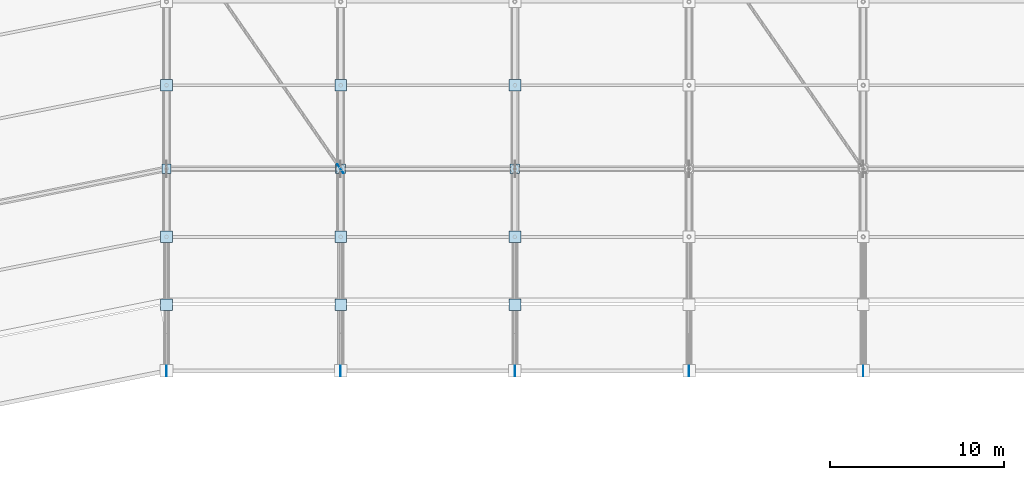
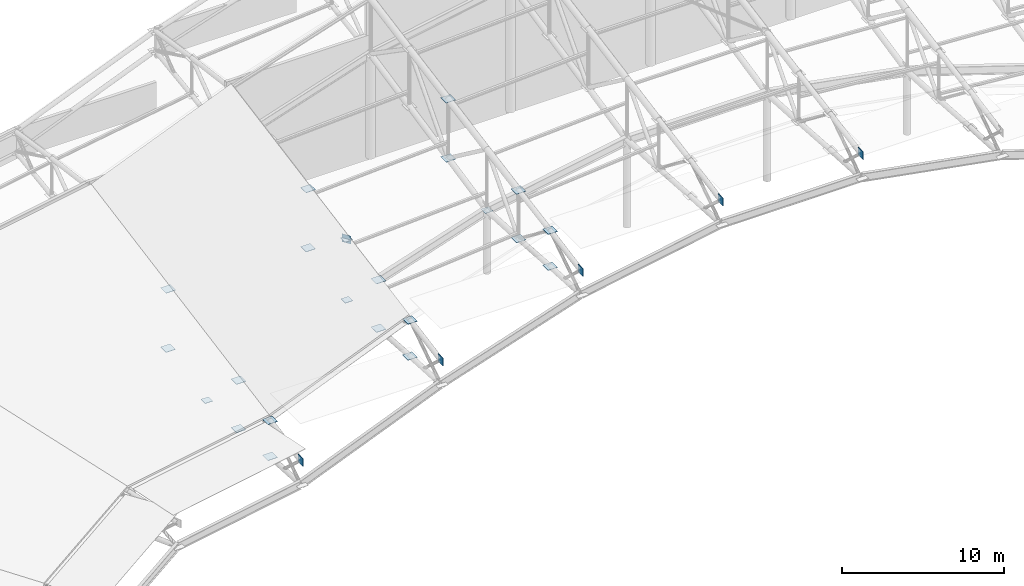
# One storey, part 133 of 146: 28 plates.
"""IFC4 building model written with IfcOpenShell, lengths in metres."""

from ifc_helpers import new_model, si_unit, direction, frame, origin, origin_2d, place, context, subcontext, project, spatial, rectangle, extrude, material, layer, layer_set, type_object, element, save


model = new_model("IFC4")

# Units and contexts
model_context = context("Model", 3, precision=1e-05, world=origin(), true_north=direction((0.0, 1.0)))
body_context = subcontext(model_context, "Body", "Model", "MODEL_VIEW")
ifc_project = project(units=[si_unit("LENGTHUNIT", "METRE"), si_unit("AREAUNIT", "SQUARE_METRE"), si_unit("VOLUMEUNIT", "CUBIC_METRE"), si_unit("PLANEANGLEUNIT", "RADIAN"), si_unit("MASSUNIT", "GRAM", prefix="KILO")], contexts=[model_context])

# Site, building, storey
site_placement = place(None, origin())
site = spatial("IfcSite", under=ifc_project, at=site_placement, CompositionType="ELEMENT")
building_placement = place(site_placement, origin())
building = spatial("IfcBuilding", under=site, at=building_placement, Name="Candeia Ridge Stadium", CompositionType="ELEMENT")
storey_placement = place(building_placement, frame((0.0, 0.0, 31.800048828125)))
storey = spatial("IfcBuildingStorey", under=building, at=storey_placement, Name="RF", CompositionType="ELEMENT", Elevation=31.800048828125)

# Plates
ifc_material = material(Name="Steel ASTM A572 Grade 50", Category="steel")
ifc_layer_1 = layer(ifc_material, 0.02490234375, Name="Steel ASTM A572 Grade 50", Category="steel")
ifc_layer_set_1 = layer_set([ifc_layer_1], Name="Steel ASTM A572 Grade 50")
plate_type_1 = type_object("IfcPlateType", Name="Hollow Section End Closure Plate CP1", PredefinedType="SHEET", material=ifc_layer_set_1)
for number, where, z_axis, x_axis, name in (
    (1, (91.0, 132.60009765625, 4.672607421875), (0.0, 0.0, 1.0), (1.0, 0.0, 0.0), "Hollow section end closure plate MCAP-T-BC-MD-05"),
    (2, (81.0, 132.60009765625, 1.402099609375), (0.0, 0.0, 1.0), (1.0, 0.0, 0.0), "Hollow section end closure plate MCAP-T-BC-MD-06"),
    (3, (71.0, 132.60009765625, -2.676513671875), (0.0, 0.0, 1.0), (1.0, 0.0, 0.0), "Hollow section end closure plate MCAP-T-BC-MD-07"),
):
    element("IfcPlate", number, at=place(storey_placement, frame(where, z_axis=z_axis, x_axis=x_axis)), inside=storey, type_object=plate_type_1, Name=name, PredefinedType="SHEET", context=body_context, shape_type="SweptSolid", body=[
        extrude(rectangle(XDim=0.5400390625, YDim=0.5400390625, at=origin_2d()), origin(), (0.0, 0.0, 1.0), 0.02490234375),
    ])
ifc_layer_2 = layer(ifc_material, 0.02490234375, Name="Steel ASTM A572 Grade 50", Category="steel")
ifc_layer_set_2 = layer_set([ifc_layer_2], Name="Steel ASTM A572 Grade 50")
plate_type_2 = type_object("IfcPlateType", Name="Hollow Section End Closure Plate CP3", PredefinedType="SHEET", material=ifc_layer_set_2)
for number, where, z_axis, x_axis, name in (
    (4, (91.0, 124.800048828125, 7.879638671875), (0.0, 0.0, 1.0), (1.0, 0.0, 0.0), "Hollow section end closure plate NCAP-T-05-1"),
    (5, (91.0, 124.800048828125, 5.16259765625), (0.0, 0.0, 1.0), (1.0, 0.0, 0.0), "Hollow section end closure plate NCAP-B-05-1"),
    (6, (91.0, 128.699951171875, 8.55126953125), (0.0, 0.0, 1.0), (1.0, 0.0, 0.0), "Hollow section end closure plate NCAP-T-05-2"),
    (7, (91.0, 128.699951171875, 4.892578125), (0.0, 0.0, 1.0), (1.0, 0.0, 0.0), "Hollow section end closure plate NCAP-B-05-2"),
    (8, (91.0, 137.39990234375, 10.16064453125), (0.0, 0.0, 1.0), (1.0, 0.0, 0.0), "Hollow section end closure plate NCAP-T-05-4"),
    (9, (91.0, 137.39990234375, 5.694091796875), (0.0, 0.0, 1.0), (1.0, 0.0, 0.0), "Hollow section end closure plate NCAP-B-05-4"),
    (10, (81.0, 124.800048828125, 4.60888671875), (0.0, 0.0, 1.0), (1.0, 0.0, 0.0), "Hollow section end closure plate NCAP-T-06-1"),
    (11, (81.0, 124.800048828125, 1.891845703125), (0.0, 0.0, 1.0), (1.0, 0.0, 0.0), "Hollow section end closure plate NCAP-B-06-1"),
    (12, (81.0, 128.699951171875, 5.280517578125), (0.0, 0.0, 1.0), (1.0, 0.0, 0.0), "Hollow section end closure plate NCAP-T-06-2"),
    (13, (81.0, 128.699951171875, 1.621826171875), (0.0, 0.0, 1.0), (1.0, 0.0, 0.0), "Hollow section end closure plate NCAP-B-06-2"),
    (14, (81.0, 137.39990234375, 6.889892578125), (0.0, 0.0, 1.0), (1.0, 0.0, 0.0), "Hollow section end closure plate NCAP-T-06-4"),
    (15, (81.0, 137.39990234375, 2.42333984375), (0.0, 0.0, 1.0), (1.0, 0.0, 0.0), "Hollow section end closure plate NCAP-B-06-4"),
):
    element("IfcPlate", number, at=place(storey_placement, frame(where, z_axis=z_axis, x_axis=x_axis)), inside=storey, type_object=plate_type_2, Name=name, PredefinedType="SHEET", context=body_context, shape_type="SweptSolid", body=[
        extrude(rectangle(XDim=0.679931640625, YDim=0.679931640625, at=origin_2d()), origin(), (0.0, 0.0, 1.0), 0.02490234375),
    ])
plate_placement = place(storey_placement, frame((80.988525390625, 132.616455078125, 6.00048828125), z_axis=(0.0, 0.0, 1.0), x_axis=(1.0, 0.0, 0.0)))
element("IfcPlate", 16, at=plate_placement, inside=storey, type_object=plate_type_2, Name="Hollow section end closure plate WBCAP-A-06", PredefinedType="SHEET", context=body_context, shape_type="SweptSolid", body=[
    extrude(rectangle(XDim=0.550048828125, YDim=0.550048828125, at=origin_2d()), origin(), (0.0, 0.0, 1.0), 0.02490234375),
])
for number, where, z_axis, x_axis, name in (
    (17, (71.0, 124.800048828125, 0.530517578125), (0.0, 0.0, 1.0), (1.0, 0.0, 0.0), "Hollow section end closure plate NCAP-T-07-1"),
    (18, (71.0, 124.800048828125, -2.186767578125), (0.0, 0.0, 1.0), (1.0, 0.0, 0.0), "Hollow section end closure plate NCAP-B-07-1"),
    (19, (71.0, 128.699951171875, 1.201904296875), (0.0, 0.0, 1.0), (1.0, 0.0, 0.0), "Hollow section end closure plate NCAP-T-07-2"),
    (20, (71.0, 128.699951171875, -2.45654296875), (0.0, 0.0, 1.0), (1.0, 0.0, 0.0), "Hollow section end closure plate NCAP-B-07-2"),
    (21, (71.0, 137.39990234375, 2.8115234375), (0.0, 0.0, 1.0), (1.0, 0.0, 0.0), "Hollow section end closure plate NCAP-T-07-4"),
    (22, (71.0, 137.39990234375, -1.6552734375), (0.0, 0.0, 1.0), (1.0, 0.0, 0.0), "Hollow section end closure plate NCAP-B-07-4"),
):
    element("IfcPlate", number, at=place(storey_placement, frame(where, z_axis=z_axis, x_axis=x_axis)), inside=storey, type_object=plate_type_2, Name=name, PredefinedType="SHEET", context=body_context, shape_type="SweptSolid", body=[
        extrude(rectangle(XDim=0.679931640625, YDim=0.679931640625, at=origin_2d()), origin(), (0.0, 0.0, 1.0), 0.02490234375),
    ])
ifc_layer_3 = layer(ifc_material, 0.02392578125, Name="Steel ASTM A572 Grade 50", Category="steel")
ifc_layer_set_3 = layer_set([ifc_layer_3], Name="Steel ASTM A572 Grade 50")
plate_type_3 = type_object("IfcPlateType", Name="Roof Truss Chord-Web Node Gusset ND-3", PredefinedType="USERDEFINED", material=ifc_layer_set_3)
for number, where, z_axis, x_axis, name in (
    (23, (111.0, 121.0, 8.7041015625), (0.0, 0.0, 1.0), (0.0, 1.0, 0.0), "Roof truss tip gusset node ND-3 bay 04"),
    (24, (101.0, 121.0, 8.7041015625), (0.0, 0.0, 1.0), (0.0, 1.0, 0.0), "Roof truss tip gusset node ND-3 bay 05"),
    (25, (91.0, 121.0, 6.88916015625), (0.0, 0.0, 1.0), (0.0, 1.0, 0.0), "Roof truss tip gusset node ND-3 bay 06"),
    (26, (81.0, 121.0, 3.618408203125), (0.0, 0.0, 1.0), (0.0, 1.0, 0.0), "Roof truss tip gusset node ND-3 bay 07"),
    (27, (80.988525390625, 132.616455078125, 5.712890625), (0.0, 0.0, 1.0), (-0.570395359839, 0.821370277934, 0.0), "Roof wind brace end gusset A bay 07"),
    (28, (71.0, 121.0, -0.460205078125), (0.0, 0.0, 1.0), (0.0, 1.0, 0.0), "Roof truss tip gusset node ND-3 bay 08"),
):
    element("IfcPlate", number, at=place(storey_placement, frame(where, z_axis=z_axis, x_axis=x_axis)), inside=storey, type_object=plate_type_3, Name=name, ObjectType="GUSSET PLATE", PredefinedType="USERDEFINED", context=body_context, shape_type="SweptSolid", body=[
        extrude(rectangle(XDim=0.60009765625, YDim=0.02392578125, at=origin_2d()), origin(), (0.0, 0.0, 1.0), 0.60009765625),
    ])

save(model, "model.ifc")
